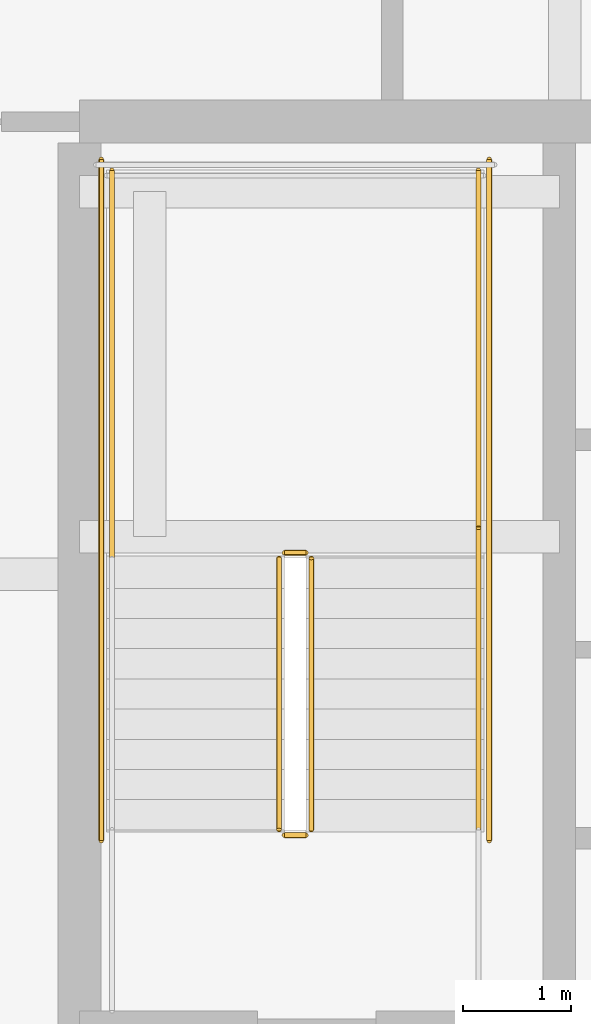
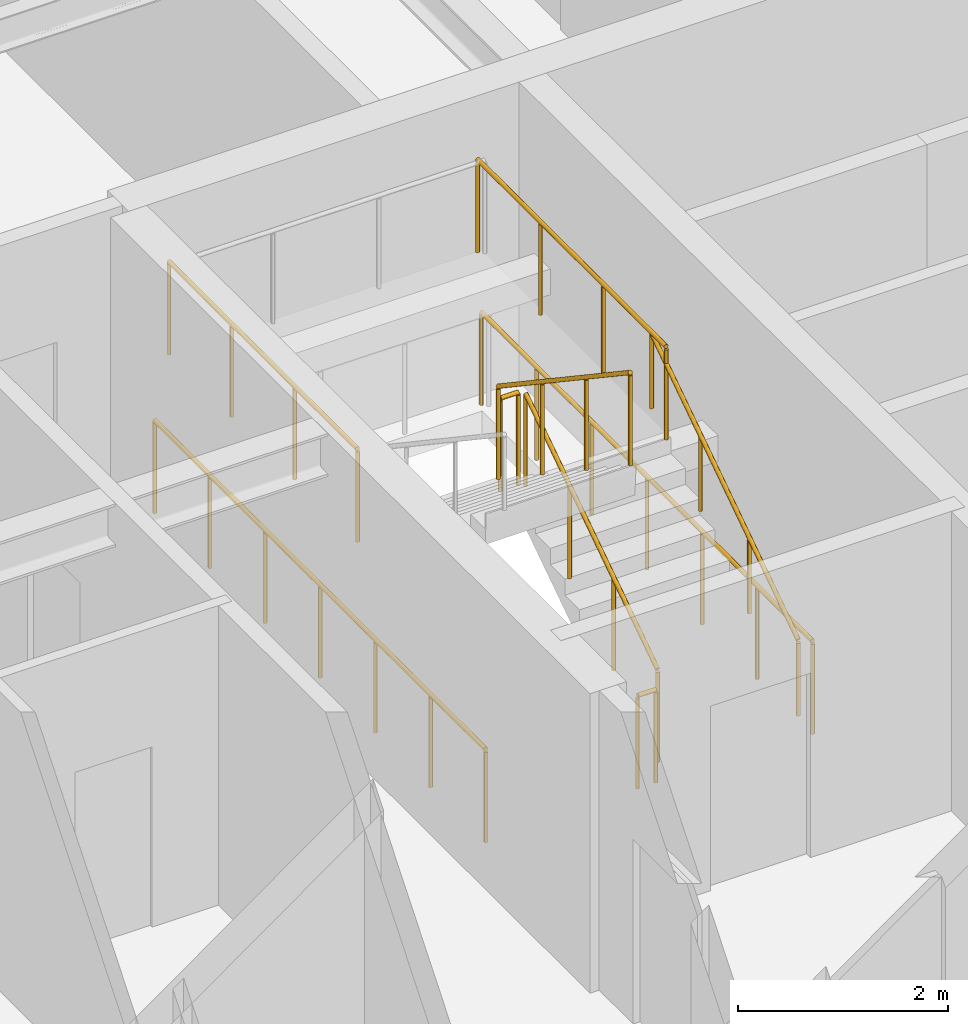
# One storey, part 34 of 37: 9 railings.
"""IFC4 building model written with IfcOpenShell, lengths in metres."""

from ifc_helpers import new_model, si_unit, direction, frame, origin, origin_2d, place, context, subcontext, project, spatial, circle, extrude, material, type_object, element, save


model = new_model("IFC4")

# Units and contexts
model_context = context("Model", 3, precision=1e-05, world=origin(), true_north=direction((0.0, 1.0)))
body_context = subcontext(model_context, "Body", "Model", "MODEL_VIEW")
ifc_project = project(units=[si_unit("LENGTHUNIT", "METRE"), si_unit("AREAUNIT", "SQUARE_METRE"), si_unit("VOLUMEUNIT", "CUBIC_METRE"), si_unit("PLANEANGLEUNIT", "RADIAN"), si_unit("MASSUNIT", "GRAM", prefix="KILO")], contexts=[model_context])

# Site, building, storey
site_placement = place(None, origin())
site = spatial("IfcSite", under=ifc_project, at=site_placement, CompositionType="ELEMENT")
building_placement = place(site_placement, origin())
building = spatial("IfcBuilding", under=site, at=building_placement, Name="Serunith Strait Residences", CompositionType="ELEMENT")
storey_placement = place(building_placement, frame((0.0, 0.0, 153.89990234375)))
storey = spatial("IfcBuildingStorey", under=building, at=storey_placement, Name="L38", CompositionType="ELEMENT", Elevation=153.89990234375)

# Railings
ifc_material = material(Name="Brushed stainless steel 316L", Category="steel")
railing_type_1 = type_object("IfcRailingType", Name="RLG-STAIR-GUARD", PredefinedType="BALUSTRADE", material=ifc_material)
railing_1_placement = place(storey_placement, frame((25.550048828125, 27.030029296875, 0.1875)))
element("IfcRailing", 1, at=railing_1_placement, inside=storey, type_object=railing_type_1, Name="L38 ST-1 stair guard 1", PredefinedType="BALUSTRADE", context=body_context, shape_type="SweptSolid", body=[
    extrude(circle(Radius=0.02392578125, at=origin_2d()), frame((0.0, 0.001708984375, 1.0771484375), z_axis=(0.0, 0.830909170722, 0.55640807867), x_axis=(-1.0, 0.0, 0.0)), (0.0, 0.0, 1.0), 3.02880859375),
    extrude(circle(Radius=0.02099609375, at=origin_2d()), origin(), (0.0, 0.0, 1.0), 1.050048828125),
    extrude(circle(Radius=0.02099609375, at=origin_2d()), frame((0.0, 0.840087890625, 0.5625)), (0.0, 0.0, 1.0), 1.050048828125),
    extrude(circle(Radius=0.02099609375, at=origin_2d()), frame((0.0, 1.679931640625, 1.125)), (0.0, 0.0, 1.0), 1.050048828125),
    extrude(circle(Radius=0.02099609375, at=origin_2d()), frame((0.0, 2.52001953125, 1.6875)), (0.0, 0.0, 1.0), 1.050048828125),
])
railing_2_placement = place(storey_placement, frame((25.5, 29.60009765625, 1.875)))
element("IfcRailing", 2, at=railing_2_placement, inside=storey, type_object=railing_type_1, Name="L38 ST-1 stair guard 2", PredefinedType="BALUSTRADE", context=body_context, shape_type="SweptSolid", body=[
    extrude(circle(Radius=0.02392578125, at=origin_2d()), frame((-0.001953125, 0.0, 1.076171875), z_axis=(-1.0, 0.0, 0.0), x_axis=(0.0, -1.0, 0.0)), (0.0, 0.0, 1.0), 0.196044921875),
    extrude(circle(Radius=0.02099609375, at=origin_2d()), origin(), (0.0, 0.0, 1.0), 1.050048828125),
    extrude(circle(Radius=0.02099609375, at=origin_2d()), frame((-0.199951171875, 0.0, 0.0)), (0.0, 0.0, 1.0), 1.050048828125),
])
for number, where, name in (
    (3, (27.10009765625, 29.550048828125, 1.875), "L38 ST-1 stair guard 3"),
    (4, (23.699951171875, 29.550048828125, 1.875), "L38 ST-1 stair guard 4"),
):
    element("IfcRailing", number, at=place(storey_placement, frame(where)), inside=storey, type_object=railing_type_1, Name=name, PredefinedType="BALUSTRADE", context=body_context, shape_type="SweptSolid", body=[
        extrude(circle(Radius=0.02392578125, at=origin_2d()), frame((0.0, 0.001953125, 1.076171875), z_axis=(0.0, 1.0, 0.0), x_axis=(-1.0, 0.0, 0.0)), (0.0, 0.0, 1.0), 3.595947265625),
        extrude(circle(Radius=0.02099609375, at=origin_2d()), origin(), (0.0, 0.0, 1.0), 1.050048828125),
        extrude(circle(Radius=0.02099609375, at=origin_2d()), frame((0.0, 1.199951171875, 0.0)), (0.0, 0.0, 1.0), 1.050048828125),
        extrude(circle(Radius=0.02099609375, at=origin_2d()), frame((0.0, 2.39990234375, 0.0)), (0.0, 0.0, 1.0), 1.050048828125),
        extrude(circle(Radius=0.02099609375, at=origin_2d()), frame((0.0, 3.599853515625, 0.0)), (0.0, 0.0, 1.0), 1.050048828125),
    ])
railing_3_placement = place(storey_placement, frame((25.25, 29.550048828125, 2.0625)))
element("IfcRailing", 5, at=railing_3_placement, inside=storey, type_object=railing_type_1, Name="L38 ST-1 stair guard 6", PredefinedType="BALUSTRADE", context=body_context, shape_type="SweptSolid", body=[
    extrude(circle(Radius=0.02392578125, at=origin_2d()), frame((0.0, -0.001708984375, 1.0771484375), z_axis=(0.0, -0.830909170722, 0.55640807867), x_axis=(1.0, 0.0, 0.0)), (0.0, 0.0, 1.0), 3.02880859375),
    extrude(circle(Radius=0.02099609375, at=origin_2d()), origin(), (0.0, 0.0, 1.0), 1.050048828125),
    extrude(circle(Radius=0.02099609375, at=origin_2d()), frame((0.0, -0.840087890625, 0.5625)), (0.0, 0.0, 1.0), 1.050048828125),
    extrude(circle(Radius=0.02099609375, at=origin_2d()), frame((0.0, -1.679931640625, 1.125)), (0.0, 0.0, 1.0), 1.050048828125),
    extrude(circle(Radius=0.02099609375, at=origin_2d()), frame((0.0, -2.52001953125, 1.6875)), (0.0, 0.0, 1.0), 1.050048828125),
])
railing_4_placement = place(storey_placement, frame((25.5, 26.97998046875, 0.0)))
element("IfcRailing", 6, at=railing_4_placement, inside=storey, type_object=railing_type_1, Name="L38 ST-1 stair guard 7", PredefinedType="BALUSTRADE", context=body_context, shape_type="SweptSolid", body=[
    extrude(circle(Radius=0.02392578125, at=origin_2d()), frame((-0.001953125, 0.0, 1.076171875), z_axis=(-1.0, 0.0, 0.0), x_axis=(0.0, -1.0, 0.0)), (0.0, 0.0, 1.0), 0.196044921875),
    extrude(circle(Radius=0.02099609375, at=origin_2d()), origin(), (0.0, 0.0, 1.0), 1.050048828125),
    extrude(circle(Radius=0.02099609375, at=origin_2d()), frame((-0.199951171875, 0.0, 0.0)), (0.0, 0.0, 1.0), 1.050048828125),
])
for number, where, name in (
    (7, (27.199951171875, 26.929931640625, 0.0), "L38 ST-1 stair guard 10"),
    (8, (23.60009765625, 26.929931640625, 0.0), "L38 ST-1 stair guard 11"),
):
    element("IfcRailing", number, at=place(storey_placement, frame(where)), inside=storey, type_object=railing_type_1, Name=name, PredefinedType="BALUSTRADE", context=body_context, shape_type="SweptSolid", body=[
        extrude(circle(Radius=0.02392578125, at=origin_2d()), frame((0.0, 0.001953125, 1.076171875), z_axis=(0.0, 1.0, 0.0), x_axis=(-1.0, 0.0, 0.0)), (0.0, 0.0, 1.0), 6.316162109375),
        extrude(circle(Radius=0.02099609375, at=origin_2d()), origin(), (0.0, 0.0, 1.0), 1.050048828125),
        extrude(circle(Radius=0.02099609375, at=origin_2d()), frame((0.0, 1.05322265625, 0.0)), (0.0, 0.0, 1.0), 1.050048828125),
        extrude(circle(Radius=0.02099609375, at=origin_2d()), frame((0.0, 2.106689453125, 0.0)), (0.0, 0.0, 1.0), 1.050048828125),
        extrude(circle(Radius=0.02099609375, at=origin_2d()), frame((0.0, 3.16015625, 0.0)), (0.0, 0.0, 1.0), 1.050048828125),
        extrude(circle(Radius=0.02099609375, at=origin_2d()), frame((0.0, 4.21337890625, 0.0)), (0.0, 0.0, 1.0), 1.050048828125),
        extrude(circle(Radius=0.02099609375, at=origin_2d()), frame((0.0, 5.2666015625, 0.0)), (0.0, 0.0, 1.0), 1.050048828125),
        extrude(circle(Radius=0.02099609375, at=origin_2d()), frame((0.0, 6.320068359375, 0.0)), (0.0, 0.0, 1.0), 1.050048828125),
    ])
railing_type_2 = type_object("IfcRailingType", Name="RLG-STAIR-HR", PredefinedType="HANDRAIL", material=ifc_material)
railing_5_placement = place(storey_placement, frame((27.10009765625, 27.030029296875, 0.1875)))
element("IfcRailing", 9, at=railing_5_placement, inside=storey, type_object=railing_type_2, Name="L38 ST-1 stair handrail 1", PredefinedType="HANDRAIL", context=body_context, shape_type="SweptSolid", body=[
    extrude(circle(Radius=0.02392578125, at=origin_2d()), frame((0.0, 0.001708984375, 0.876953125), z_axis=(0.0, 0.830208209119, 0.557453432594), x_axis=(-1.0, 0.0, 0.0)), (0.0, 0.0, 1.0), 3.36865234375),
    extrude(circle(Radius=0.02099609375, at=origin_2d()), origin(), (0.0, 0.0, 1.0), 0.849853515625),
    extrude(circle(Radius=0.02099609375, at=origin_2d()), frame((0.0, 0.933349609375, 0.626708984375)), (0.0, 0.0, 1.0), 0.849853515625),
    extrude(circle(Radius=0.02099609375, at=origin_2d()), frame((0.0, 1.86669921875, 1.25341796875)), (0.0, 0.0, 1.0), 0.849853515625),
    extrude(circle(Radius=0.02099609375, at=origin_2d()), frame((0.0, 2.800048828125, 1.880126953125)), (0.0, 0.0, 1.0), 0.849853515625),
])

save(model, "model.ifc")
